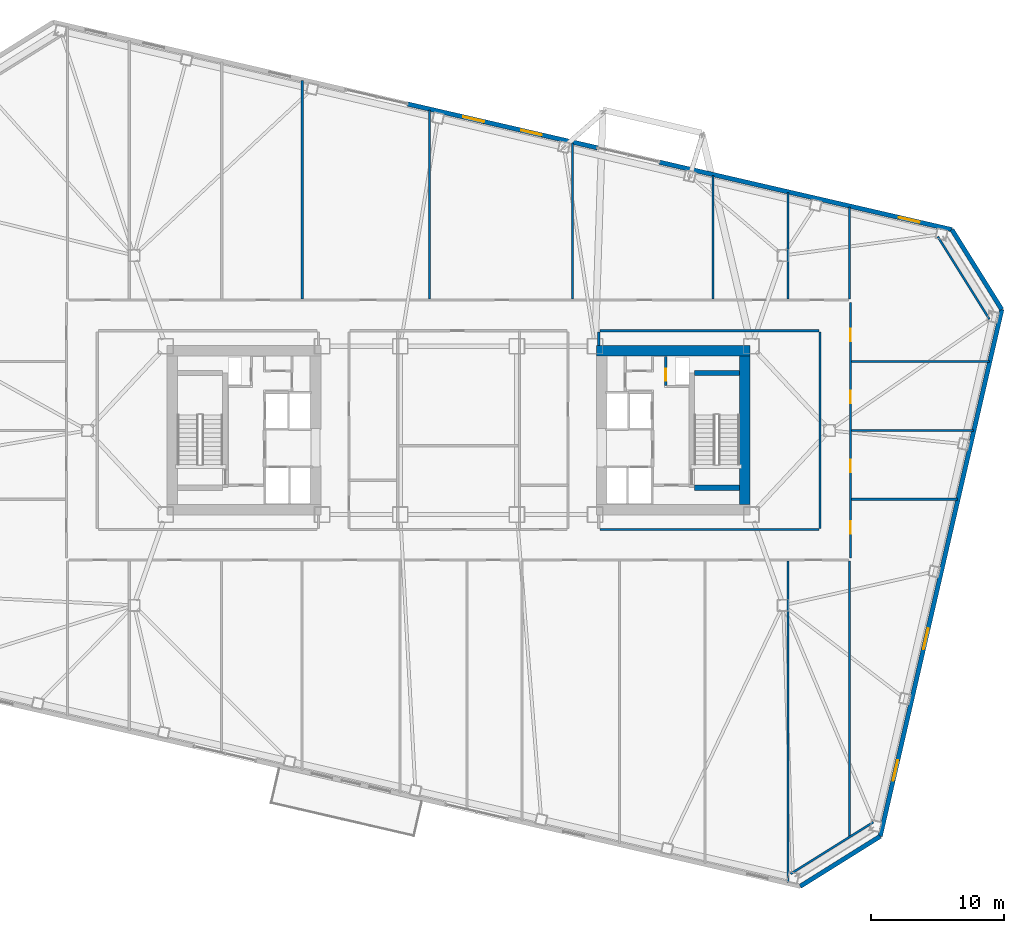
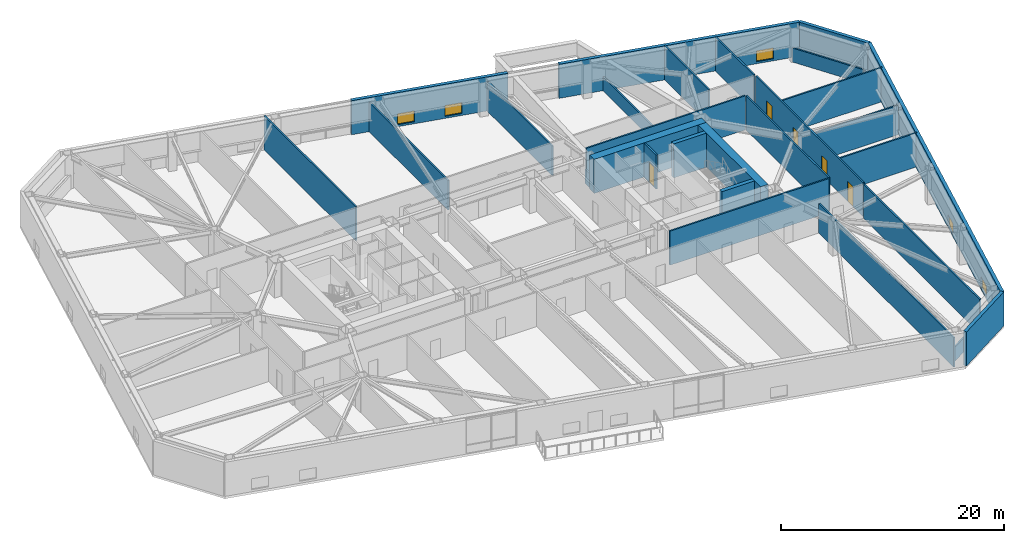
# One storey, part 13 of 21: 28 walls, 5 doors, 5 windows, 10 openings.
"""IFC4 building model written with IfcOpenShell, lengths in metres."""

from ifc_helpers import new_model, si_unit, direction, frame, frame_2d, origin, place, context, subcontext, project, spatial, rectangle, extrude, material, layer, layer_set, type_object, element, fill, save


model = new_model("IFC4")

# Units and contexts
model_context = context("Model", 3, precision=1e-05, world=origin(), true_north=direction((0.0, 1.0)))
body_context = subcontext(model_context, "Body", "Model", "MODEL_VIEW")
ifc_project = project(units=[si_unit("LENGTHUNIT", "METRE"), si_unit("AREAUNIT", "SQUARE_METRE"), si_unit("VOLUMEUNIT", "CUBIC_METRE"), si_unit("PLANEANGLEUNIT", "RADIAN"), si_unit("MASSUNIT", "GRAM", prefix="KILO")], contexts=[model_context])

# Site, building, storey
site_placement = place(None, origin())
site = spatial("IfcSite", under=ifc_project, at=site_placement, CompositionType="ELEMENT")
building_placement = place(site_placement, origin())
building = spatial("IfcBuilding", under=site, at=building_placement, Name="Tavrogorsk Clinical Tower", CompositionType="ELEMENT")
storey_placement = place(building_placement, frame((0.0, 0.0, 59.39990234375)))
storey = spatial("IfcBuildingStorey", under=building, at=storey_placement, Name="L12", CompositionType="ELEMENT", Elevation=59.39990234375)

# Walls
ifc_material_1 = material(Name="Lightweight concrete blockwork B15", Category="masonry")
ifc_layer_1 = layer(ifc_material_1, 0.159912109375)
ifc_layer_set_1 = layer_set([ifc_layer_1], Name="Lightweight concrete blockwork B15")
wall_type_1 = type_object("IfcWallType", Name="PartitionWall_160", PredefinedType="PARTITIONING", material=ifc_layer_set_1)
for number, where, z_axis, x_axis, name in (
    (1, (25.0595703125, -33.46826171875, 0.0), (0.0, 0.0, 1.0), (0.848043064089, 0.529927317139, 0.0), "L12 Corner Exoskeleton Brace Furring Wall 1"),
    (2, (40.059814453125, 8.389404296875, 0.0), (0.0, 0.0, 1.0), (-0.529927317139, 0.848043064089, 0.0), "L12 Corner Exoskeleton Brace Furring Wall 2"),
):
    element("IfcWall", number, at=place(storey_placement, frame(where, z_axis=z_axis, x_axis=x_axis)), inside=storey, type_object=wall_type_1, Name=name, PredefinedType="PARTITIONING", context=body_context, shape_type="SweptSolid", body=[
        extrude(rectangle(XDim=7.353759765625, YDim=0.159912109375, at=frame_2d((3.6767578125, 0.0))), origin(), (0.0, 0.0, 1.0), 1.53515625),
    ])

# Wall, openings, doors
wall_1_placement = place(storey_placement, frame((29.580078125, 9.6650390625, 0.0), z_axis=(0.0, 0.0, 1.0), x_axis=(0.0, -1.0, 0.0)))
wall_1 = element("IfcWall", 3, at=wall_1_placement, inside=storey, type_object=wall_type_1, Name="L12 Corridor Partition 03", PredefinedType="PARTITIONING", context=body_context, shape_type="SweptSolid", body=[
    extrude(rectangle(XDim=19.280029296875, YDim=0.159912109375, at=frame_2d((9.64013671875, 0.0))), origin(), (0.0, 0.0, 1.0), 3.739990234375),
])
opening_1_placement = place(wall_1_placement, frame((16.531005859375, 0.0, 0.0)))
opening_1 = element("IfcOpeningElement", 4, at=opening_1_placement, cuts=wall_1, Name="Opening ID-02", PredefinedType="OPENING", context=body_context, shape_type="SweptSolid", body=[
    extrude(rectangle(XDim=0.949951171875, YDim=2.199951171875, at=frame_2d((0.47509765625, 1.10009765625))), frame((0.0, 0.08984375, 0.0), z_axis=(0.0, -1.0, 0.0), x_axis=(1.0, 0.0, 0.0)), (0.0, 0.0, 1.0), 0.179931640625),
])
opening_2_placement = place(wall_1_placement, frame((11.875, 0.0, 0.0)))
opening_2 = element("IfcOpeningElement", 5, at=opening_2_placement, cuts=wall_1, Name="Opening ID-02", PredefinedType="OPENING", context=body_context, shape_type="SweptSolid", body=[
    extrude(rectangle(XDim=0.949951171875, YDim=2.199951171875, at=frame_2d((0.47509765625, 1.10009765625))), frame((0.0, 0.08984375, 0.0), z_axis=(0.0, -1.0, 0.0), x_axis=(1.0, 0.0, 0.0)), (0.0, 0.0, 1.0), 0.179931640625),
])
opening_3_placement = place(wall_1_placement, frame((6.675048828125, 0.0, 0.0)))
opening_3 = element("IfcOpeningElement", 6, at=opening_3_placement, cuts=wall_1, Name="Opening ID-02", PredefinedType="OPENING", context=body_context, shape_type="SweptSolid", body=[
    extrude(rectangle(XDim=0.949951171875, YDim=2.199951171875, at=frame_2d((0.47509765625, 1.10009765625))), frame((0.0, 0.08984375, 0.0), z_axis=(0.0, -1.0, 0.0), x_axis=(1.0, 0.0, 0.0)), (0.0, 0.0, 1.0), 0.179931640625),
])
opening_4_placement = place(wall_1_placement, frame((1.994140625, 0.0, 0.0)))
opening_4 = element("IfcOpeningElement", 7, at=opening_4_placement, cuts=wall_1, Name="Opening ID-02", PredefinedType="OPENING", context=body_context, shape_type="SweptSolid", body=[
    extrude(rectangle(XDim=0.949951171875, YDim=2.199951171875, at=frame_2d((0.47509765625, 1.10009765625))), frame((0.0, 0.08984375, 0.0), z_axis=(0.0, -1.0, 0.0), x_axis=(1.0, 0.0, 0.0)), (0.0, 0.0, 1.0), 0.179931640625),
])
ifc_material_2 = material(Name="Laminated timber leaf on aluminium frame", Category="wood")
door_type_1 = type_object("IfcDoorType", Name="InteriorDoor_ID02_950", OperationType="NOTDEFINED", PredefinedType="DOOR", material=ifc_material_2)
door_1_placement = place(opening_1_placement, origin())
door_1 = element("IfcDoor", 8, at=door_1_placement, inside=storey, type_object=door_type_1, Name="L12 E Senior Clinician Suite 1 Door", OperationType="SINGLE_SWING_LEFT", OverallHeight=2.199951171875, OverallWidth=0.949951171875, PredefinedType="DOOR", context=body_context, shape_type="SweptSolid", body=[
    extrude(rectangle(XDim=0.949951171875, YDim=2.199951171875, at=frame_2d((0.47509765625, 1.10009765625))), frame((0.0, 0.02490234375, 0.0), z_axis=(0.0, -1.0, 0.0), x_axis=(1.0, 0.0, 0.0)), (0.0, 0.0, 1.0), 0.050048828125),
])
fill(opening_1, door_1)
door_2_placement = place(opening_2_placement, origin())
door_2 = element("IfcDoor", 9, at=door_2_placement, inside=storey, type_object=door_type_1, Name="L12 E Multidisciplinary Seminar Suite 2 Door", OperationType="SINGLE_SWING_RIGHT", OverallHeight=2.199951171875, OverallWidth=0.949951171875, PredefinedType="DOOR", context=body_context, shape_type="SweptSolid", body=[
    extrude(rectangle(XDim=0.949951171875, YDim=2.199951171875, at=frame_2d((0.47509765625, 1.10009765625))), frame((0.0, 0.02490234375, 0.0), z_axis=(0.0, -1.0, 0.0), x_axis=(1.0, 0.0, 0.0)), (0.0, 0.0, 1.0), 0.050048828125),
])
fill(opening_2, door_2)
door_3_placement = place(opening_3_placement, origin())
door_3 = element("IfcDoor", 10, at=door_3_placement, inside=storey, type_object=door_type_1, Name="L12 E Specialist Consultation Room 3 Door", OperationType="SINGLE_SWING_LEFT", OverallHeight=2.199951171875, OverallWidth=0.949951171875, PredefinedType="DOOR", context=body_context, shape_type="SweptSolid", body=[
    extrude(rectangle(XDim=0.949951171875, YDim=2.199951171875, at=frame_2d((0.47509765625, 1.10009765625))), frame((0.0, 0.02490234375, 0.0), z_axis=(0.0, -1.0, 0.0), x_axis=(1.0, 0.0, 0.0)), (0.0, 0.0, 1.0), 0.050048828125),
])
fill(opening_3, door_3)
door_4_placement = place(opening_4_placement, origin())
door_4 = element("IfcDoor", 11, at=door_4_placement, inside=storey, type_object=door_type_1, Name="L12 E Clinical Fellows' Study 4 Door", OperationType="SINGLE_SWING_RIGHT", OverallHeight=2.199951171875, OverallWidth=0.949951171875, PredefinedType="DOOR", context=body_context, shape_type="SweptSolid", body=[
    extrude(rectangle(XDim=0.949951171875, YDim=2.199951171875, at=frame_2d((0.47509765625, 1.10009765625))), frame((0.0, 0.02490234375, 0.0), z_axis=(0.0, -1.0, 0.0), x_axis=(1.0, 0.0, 0.0)), (0.0, 0.0, 1.0), 0.050048828125),
])
fill(opening_4, door_4)

# Walls
wall_2_placement = place(storey_placement, frame((27.18505859375, 7.52001953125, 0.0), z_axis=(0.0, 0.0, 1.0), x_axis=(-1.0, 0.0, 0.0)))
element("IfcWall", 12, at=wall_2_placement, inside=storey, type_object=wall_type_1, Name="L12 Corridor Partition 05", PredefinedType="PARTITIONING", context=body_context, shape_type="SweptSolid", body=[
    extrude(rectangle(XDim=16.52001953125, YDim=0.159912109375, at=frame_2d((8.260009765625, 0.0))), origin(), (0.0, 0.0, 1.0), 3.739990234375),
])
wall_3_placement = place(storey_placement, frame((10.580078125, 7.43505859375, 0.0), z_axis=(0.0, 0.0, 1.0), x_axis=(0.0, -1.0, 0.0)))
element("IfcWall", 13, at=wall_3_placement, inside=storey, type_object=wall_type_1, Name="L12 Corridor Partition 06", PredefinedType="PARTITIONING", context=body_context, shape_type="SweptSolid", body=[
    extrude(rectangle(XDim=1.01513671875, YDim=0.159912109375, at=frame_2d((0.507568359375, 0.0))), origin(), (0.0, 0.0, 1.0), 1.53515625),
])
wall_4_placement = place(storey_placement, frame((10.6650390625, -7.469970703125, 0.0), z_axis=(0.0, 0.0, 1.0), x_axis=(1.0, 0.0, 0.0)))
element("IfcWall", 14, at=wall_4_placement, inside=storey, type_object=wall_type_1, Name="L12 Corridor Partition 08", PredefinedType="PARTITIONING", context=body_context, shape_type="SweptSolid", body=[
    extrude(rectangle(XDim=16.52001953125, YDim=0.159912109375, at=frame_2d((8.260009765625, 0.0))), origin(), (0.0, 0.0, 1.0), 3.739990234375),
])
wall_5_placement = place(storey_placement, frame((27.27001953125, -7.385009765625, 0.0), z_axis=(0.0, 0.0, 1.0), x_axis=(0.0, 1.0, 0.0)))
element("IfcWall", 15, at=wall_5_placement, inside=storey, type_object=wall_type_1, Name="L12 Corridor Partition 09", PredefinedType="PARTITIONING", context=body_context, shape_type="SweptSolid", body=[
    extrude(rectangle(XDim=14.820068359375, YDim=0.159912109375, at=frame_2d((7.41015625, 0.0))), origin(), (0.0, 0.0, 1.0), 3.739990234375),
])
wall_6_placement = place(storey_placement, frame((29.5, 9.9150390625, 0.0), z_axis=(0.0, 0.0, 1.0), x_axis=(0.0, 1.0, 0.0)))
element("IfcWall", 16, at=wall_6_placement, inside=storey, type_object=wall_type_1, Name="L12 NE Wing Closure Partition", PredefinedType="PARTITIONING", context=body_context, shape_type="SweptSolid", body=[
    extrude(rectangle(XDim=6.947265625, YDim=0.159912109375, at=frame_2d((3.4736328125, 0.0))), origin(), (0.0, 0.0, 1.0), 3.739990234375),
])
wall_7_placement = place(storey_placement, frame((29.5, -30.702880859375, 0.0), z_axis=(0.0, 0.0, 1.0), x_axis=(0.0, 1.0, 0.0)))
element("IfcWall", 17, at=wall_7_placement, inside=storey, type_object=wall_type_1, Name="L12 SE Wing Closure Partition", PredefinedType="PARTITIONING", context=body_context, shape_type="SweptSolid", body=[
    extrude(rectangle(XDim=20.837890625, YDim=0.159912109375, at=frame_2d((10.4189453125, 0.0))), origin(), (0.0, 0.0, 1.0), 3.739990234375),
])
wall_8_placement = place(storey_placement, frame((-11.800048828125, 9.9150390625, 0.0), z_axis=(0.0, 0.0, 1.0), x_axis=(0.0, 1.0, 0.0)))
element("IfcWall", 18, at=wall_8_placement, inside=storey, type_object=wall_type_1, Name="L12 North Room Partition 2", PredefinedType="PARTITIONING", context=body_context, shape_type="SweptSolid", body=[
    extrude(rectangle(XDim=16.482177734375, YDim=0.159912109375, at=frame_2d((8.2412109375, 0.0))), origin(), (0.0, 0.0, 1.0), 3.739990234375),
])
wall_9_placement = place(storey_placement, frame((-2.199951171875, 9.9150390625, 0.0), z_axis=(0.0, 0.0, 1.0), x_axis=(0.0, 1.0, 0.0)))
element("IfcWall", 19, at=wall_9_placement, inside=storey, type_object=wall_type_1, Name="L12 North Room Partition 3", PredefinedType="PARTITIONING", context=body_context, shape_type="SweptSolid", body=[
    extrude(rectangle(XDim=14.265869140625, YDim=0.159912109375, at=frame_2d((7.1328125, 0.0))), origin(), (0.0, 0.0, 1.0), 3.235107421875),
])
wall_10_placement = place(storey_placement, frame((8.60009765625, 9.9150390625, 0.0), z_axis=(0.0, 0.0, 1.0), x_axis=(0.0, 1.0, 0.0)))
element("IfcWall", 20, at=wall_10_placement, inside=storey, type_object=wall_type_1, Name="L12 North Room Partition 4", PredefinedType="PARTITIONING", context=body_context, shape_type="SweptSolid", body=[
    extrude(rectangle(XDim=11.7724609375, YDim=0.159912109375, at=frame_2d((5.88623046875, 0.0))), origin(), (0.0, 0.0, 1.0), 3.235107421875),
])
wall_11_placement = place(storey_placement, frame((19.199951171875, 9.9150390625, 0.0), z_axis=(0.0, 0.0, 1.0), x_axis=(0.0, 1.0, 0.0)))
element("IfcWall", 21, at=wall_11_placement, inside=storey, type_object=wall_type_1, Name="L12 North Room Partition 5", PredefinedType="PARTITIONING", context=body_context, shape_type="SweptSolid", body=[
    extrude(rectangle(XDim=9.3251953125, YDim=0.159912109375, at=frame_2d((4.66259765625, 0.0))), origin(), (0.0, 0.0, 1.0), 1.53515625),
])
wall_12_placement = place(storey_placement, frame((24.85009765625, 9.9150390625, 0.0), z_axis=(0.0, 0.0, 1.0), x_axis=(0.0, 1.0, 0.0)))
element("IfcWall", 22, at=wall_12_placement, inside=storey, type_object=wall_type_1, Name="L12 North Room Partition 6", PredefinedType="PARTITIONING", context=body_context, shape_type="SweptSolid", body=[
    extrude(rectangle(XDim=8.020751953125, YDim=0.159912109375, at=frame_2d((4.01025390625, 0.0))), origin(), (0.0, 0.0, 1.0), 3.739990234375),
])
wall_13_placement = place(storey_placement, frame((24.85009765625, -34.1181640625, 0.0), z_axis=(0.0, 0.0, 1.0), x_axis=(0.0, 1.0, 0.0)))
element("IfcWall", 23, at=wall_13_placement, inside=storey, type_object=wall_type_1, Name="L12 South Room Partition 6", PredefinedType="PARTITIONING", context=body_context, shape_type="SweptSolid", body=[
    extrude(rectangle(XDim=24.253173828125, YDim=0.159912109375, at=frame_2d((12.12646484375, 0.0))), origin(), (0.0, 0.0, 1.0), 3.235107421875),
])
wall_14_placement = place(storey_placement, frame((29.6650390625, -5.199951171875, 0.0), z_axis=(0.0, 0.0, 1.0), x_axis=(1.0, 0.0, 0.0)))
element("IfcWall", 24, at=wall_14_placement, inside=storey, type_object=wall_type_1, Name="L12 E Wing Divider 1", PredefinedType="PARTITIONING", context=body_context, shape_type="SweptSolid", body=[
    extrude(rectangle(XDim=8.007080078125, YDim=0.159912109375, at=frame_2d((4.00341796875, 0.0))), origin(), (0.0, 0.0, 1.0), 3.739990234375),
])
wall_15_placement = place(storey_placement, frame((29.6650390625, 0.0, 0.0), z_axis=(0.0, 0.0, 1.0), x_axis=(1.0, 0.0, 0.0)))
element("IfcWall", 25, at=wall_15_placement, inside=storey, type_object=wall_type_1, Name="L12 E Wing Divider 2", PredefinedType="PARTITIONING", context=body_context, shape_type="SweptSolid", body=[
    extrude(rectangle(XDim=9.207763671875, YDim=0.159912109375, at=frame_2d((4.60400390625, 0.0))), origin(), (0.0, 0.0, 1.0), 3.235107421875),
])
wall_16_placement = place(storey_placement, frame((29.6650390625, 5.199951171875, 0.0), z_axis=(0.0, 0.0, 1.0), x_axis=(1.0, 0.0, 0.0)))
element("IfcWall", 26, at=wall_16_placement, inside=storey, type_object=wall_type_1, Name="L12 E Wing Divider 3", PredefinedType="PARTITIONING", context=body_context, shape_type="SweptSolid", body=[
    extrude(rectangle(XDim=10.408203125, YDim=0.159912109375, at=frame_2d((5.2041015625, 0.0))), origin(), (0.0, 0.0, 1.0), 3.739990234375),
])

# Wall, opening, window
ifc_material_3 = material(Name="Precast concrete B45 with limestone cladding", Category="masonry")
ifc_layer_2 = layer(ifc_material_3, 0.340087890625)
ifc_layer_set_2 = layer_set([ifc_layer_2], Name="Precast concrete B45 with limestone cladding")
wall_type_2 = type_object("IfcWallType", Name="PrecastLimestoneWall_340", PredefinedType="STANDARD", material=ifc_layer_set_2)
wall_17_placement = place(storey_placement, frame((37.228515625, 15.14990234375, 0.0), z_axis=(0.0, 0.0, 1.0), x_axis=(-0.97436993772, 0.224951604723, 0.0)))
wall_17 = element("IfcWall", 27, at=wall_17_placement, inside=storey, type_object=wall_type_2, Name="L12 N Limestone Facade Wall 1", PredefinedType="STANDARD", context=body_context, shape_type="SweptSolid", body=[
    extrude(rectangle(XDim=22.6513671875, YDim=0.340087890625, at=frame_2d((11.32568359375, 0.0))), origin(), (0.0, 0.0, 1.0), 3.739990234375),
])
opening_5_placement = place(wall_17_placement, frame((2.51220703125, 0.0, 0.219970703125)))
opening_5 = element("IfcOpeningElement", 28, at=opening_5_placement, cuts=wall_17, Name="Opening WN-09", PredefinedType="OPENING", context=body_context, shape_type="SweptSolid", body=[
    extrude(rectangle(XDim=1.60009765625, YDim=1.199951171875, at=frame_2d((0.800048828125, 0.60009765625))), frame((0.0, 0.179931640625, 0.0), z_axis=(0.0, -1.0, 0.0), x_axis=(1.0, 0.0, 0.0)), (0.0, 0.0, 1.0), 0.360107421875),
])
ifc_material_4 = material(Name="Thermally broken aluminium frame and triple IGU", Category="aluminium")
window_type = type_object("IfcWindowType", Name="LowHeadTransWin_1600x1200", PartitioningType="DOUBLE_PANEL_VERTICAL", PredefinedType="WINDOW", material=ifc_material_4)
window_1_placement = place(opening_5_placement, origin())
window_1 = element("IfcWindow", 29, at=window_1_placement, inside=storey, type_object=window_type, Name="L12 N Chicago Window 10", OverallHeight=1.199951171875, OverallWidth=1.60009765625, PartitioningType="SINGLE_PANEL", PredefinedType="WINDOW", context=body_context, shape_type="SweptSolid", body=[
    extrude(rectangle(XDim=1.60009765625, YDim=1.199951171875, at=frame_2d((0.800048828125, 0.60009765625))), frame((0.0, 0.030029296875, 0.0), z_axis=(0.0, -1.0, 0.0), x_axis=(1.0, 0.0, 0.0)), (0.0, 0.0, 1.0), 0.06005859375),
])
fill(opening_5, window_1)

# Wall, openings, windows
wall_18_placement = place(storey_placement, frame((10.480712890625, 21.3251953125, 0.0), z_axis=(0.0, 0.0, 1.0), x_axis=(-0.974369353393, 0.2249541357, 0.0)))
wall_18 = element("IfcWall", 30, at=wall_18_placement, inside=storey, type_object=wall_type_2, Name="L12 N Limestone Facade Wall 2", PredefinedType="STANDARD", context=body_context, shape_type="SweptSolid", body=[
    extrude(rectangle(XDim=14.697021484375, YDim=0.340087890625, at=frame_2d((7.3486328125, 0.0))), origin(), (0.0, 0.0, 1.0), 3.739990234375),
])
opening_6_placement = place(wall_18_placement, frame((8.790771484375, 0.0, 0.219970703125)))
opening_6 = element("IfcOpeningElement", 31, at=opening_6_placement, cuts=wall_18, Name="Opening WN-09", PredefinedType="OPENING", context=body_context, shape_type="SweptSolid", body=[
    extrude(rectangle(XDim=1.60009765625, YDim=1.199951171875, at=frame_2d((0.800048828125, 0.60009765625))), frame((0.0, 0.179931640625, 0.0), z_axis=(0.0, -1.0, 0.0), x_axis=(1.0, 0.0, 0.0)), (0.0, 0.0, 1.0), 0.360107421875),
])
opening_7_placement = place(wall_18_placement, frame((4.306396484375, 0.0, 0.219970703125)))
opening_7 = element("IfcOpeningElement", 32, at=opening_7_placement, cuts=wall_18, Name="Opening WN-09", PredefinedType="OPENING", context=body_context, shape_type="SweptSolid", body=[
    extrude(rectangle(XDim=1.60009765625, YDim=1.199951171875, at=frame_2d((0.800048828125, 0.60009765625))), frame((0.0, 0.179931640625, 0.0), z_axis=(0.0, -1.0, 0.0), x_axis=(1.0, 0.0, 0.0)), (0.0, 0.0, 1.0), 0.360107421875),
])
window_2_placement = place(opening_6_placement, origin())
window_2 = element("IfcWindow", 33, at=window_2_placement, inside=storey, type_object=window_type, Name="L12 N Chicago Window 05", OverallHeight=1.199951171875, OverallWidth=1.60009765625, PartitioningType="SINGLE_PANEL", PredefinedType="WINDOW", context=body_context, shape_type="SweptSolid", body=[
    extrude(rectangle(XDim=1.60009765625, YDim=1.199951171875, at=frame_2d((0.800048828125, 0.60009765625))), frame((0.0, 0.030029296875, 0.0), z_axis=(0.0, -1.0, 0.0), x_axis=(1.0, 0.0, 0.0)), (0.0, 0.0, 1.0), 0.06005859375),
])
fill(opening_6, window_2)
window_3_placement = place(opening_7_placement, origin())
window_3 = element("IfcWindow", 34, at=window_3_placement, inside=storey, type_object=window_type, Name="L12 N Chicago Window 06", OverallHeight=1.199951171875, OverallWidth=1.60009765625, PartitioningType="SINGLE_PANEL", PredefinedType="WINDOW", context=body_context, shape_type="SweptSolid", body=[
    extrude(rectangle(XDim=1.60009765625, YDim=1.199951171875, at=frame_2d((0.800048828125, 0.60009765625))), frame((0.0, 0.030029296875, 0.0), z_axis=(0.0, -1.0, 0.0), x_axis=(1.0, 0.0, 0.0)), (0.0, 0.0, 1.0), 0.06005859375),
])
fill(opening_7, window_3)

wall_19_placement = place(storey_placement, frame((31.820068359375, -30.636962890625, 0.0), z_axis=(0.0, 0.0, 1.0), x_axis=(0.224949969076, 0.974370315338, 0.0)))
wall_19 = element("IfcWall", 35, at=wall_19_placement, inside=storey, type_object=wall_type_2, Name="L12 E Pleated Limestone Wing Wall", PredefinedType="STANDARD", context=body_context, shape_type="SweptSolid", body=[
    extrude(rectangle(XDim=40.800048828125, YDim=0.340087890625, at=frame_2d((20.39990234375, 0.0))), origin(), (0.0, 0.0, 1.0), 3.739990234375),
])
opening_8_placement = place(wall_19_placement, frame((4.300048828125, 0.0, 0.219970703125)))
opening_8 = element("IfcOpeningElement", 36, at=opening_8_placement, cuts=wall_19, Name="Opening WN-09", PredefinedType="OPENING", context=body_context, shape_type="SweptSolid", body=[
    extrude(rectangle(XDim=1.60009765625, YDim=1.199951171875, at=frame_2d((0.800048828125, 0.60009765625))), frame((0.0, 0.179931640625, 0.0), z_axis=(0.0, -1.0, 0.0), x_axis=(1.0, 0.0, 0.0)), (0.0, 0.0, 1.0), 0.360107421875),
])
opening_9_placement = place(wall_19_placement, frame((14.5, 0.0, 0.219970703125)))
opening_9 = element("IfcOpeningElement", 37, at=opening_9_placement, cuts=wall_19, Name="Opening WN-09", PredefinedType="OPENING", context=body_context, shape_type="SweptSolid", body=[
    extrude(rectangle(XDim=1.60009765625, YDim=1.199951171875, at=frame_2d((0.800048828125, 0.60009765625))), frame((0.0, 0.179931640625, 0.0), z_axis=(0.0, -1.0, 0.0), x_axis=(1.0, 0.0, 0.0)), (0.0, 0.0, 1.0), 0.360107421875),
])
window_4_placement = place(opening_8_placement, origin())
window_4 = element("IfcWindow", 38, at=window_4_placement, inside=storey, type_object=window_type, Name="L12 E Pleat Slot Window 1", OverallHeight=1.199951171875, OverallWidth=1.60009765625, PartitioningType="SINGLE_PANEL", PredefinedType="WINDOW", context=body_context, shape_type="SweptSolid", body=[
    extrude(rectangle(XDim=1.60009765625, YDim=1.199951171875, at=frame_2d((0.800048828125, 0.60009765625))), frame((0.0, 0.030029296875, 0.0), z_axis=(0.0, -1.0, 0.0), x_axis=(1.0, 0.0, 0.0)), (0.0, 0.0, 1.0), 0.06005859375),
])
fill(opening_8, window_4)
window_5_placement = place(opening_9_placement, origin())
window_5 = element("IfcWindow", 39, at=window_5_placement, inside=storey, type_object=window_type, Name="L12 E Pleat Slot Window 2", OverallHeight=1.199951171875, OverallWidth=1.60009765625, PartitioningType="SINGLE_PANEL", PredefinedType="WINDOW", context=body_context, shape_type="SweptSolid", body=[
    extrude(rectangle(XDim=1.60009765625, YDim=1.199951171875, at=frame_2d((0.800048828125, 0.60009765625))), frame((0.0, 0.030029296875, 0.0), z_axis=(0.0, -1.0, 0.0), x_axis=(1.0, 0.0, 0.0)), (0.0, 0.0, 1.0), 0.06005859375),
])
fill(opening_9, window_5)

# Walls
for number, where, z_axis, x_axis, name in (
    (40, (25.78759765625, -34.406494140625, 0.0), (0.0, 0.0, 1.0), (0.848046504656, 0.529921811158, 0.0), "L12 Chamfered Corner Wall 1"),
    (41, (40.998046875, 9.117431640625, 0.0), (0.0, 0.0, 1.0), (-0.529921811158, 0.848046504656, 0.0), "L12 Chamfered Corner Wall 2"),
):
    element("IfcWall", number, at=place(storey_placement, frame(where, z_axis=z_axis, x_axis=x_axis)), inside=storey, type_object=wall_type_2, Name=name, PredefinedType="STANDARD", context=body_context, shape_type="SweptSolid", body=[
        extrude(rectangle(XDim=7.11328125, YDim=0.340087890625, at=frame_2d((3.556640625, 0.0))), origin(), (0.0, 0.0, 1.0), 3.739990234375),
    ])

# Wall, opening, door
ifc_material_5 = material(Name="Lightweight concrete blockwork B25", Category="masonry")
ifc_layer_3 = layer(ifc_material_5, 0.159912109375)
ifc_layer_set_3 = layer_set([ifc_layer_3], Name="Lightweight concrete blockwork B25")
wall_type_3 = type_object("IfcWallType", Name="ShaftWall_160", PredefinedType="PARTITIONING", material=ifc_layer_set_3)
wall_20_placement = place(storey_placement, frame((15.639892578125, 3.405029296875, 0.0), z_axis=(0.0, 0.0, 1.0), x_axis=(0.0, 1.0, 0.0)))
wall_20 = element("IfcWall", 42, at=wall_20_placement, inside=storey, type_object=wall_type_3, Name="L12 Core East Riser West Wall", PredefinedType="PARTITIONING", context=body_context, shape_type="SweptSolid", body=[
    extrude(rectangle(XDim=2.155029296875, YDim=0.159912109375, at=frame_2d((1.07763671875, 0.0))), origin(), (0.0, 0.0, 1.0), 3.739990234375),
])
opening_10_placement = place(wall_20_placement, frame((0.35009765625, 0.0, 0.0)))
opening_10 = element("IfcOpeningElement", 43, at=opening_10_placement, cuts=wall_20, Name="Opening FD-02", PredefinedType="OPENING", context=body_context, shape_type="SweptSolid", body=[
    extrude(rectangle(XDim=0.89990234375, YDim=2.199951171875, at=frame_2d((0.449951171875, 1.10009765625))), frame((0.0, 0.08984375, 0.0), z_axis=(0.0, -1.0, 0.0), x_axis=(1.0, 0.0, 0.0)), (0.0, 0.0, 1.0), 0.179931640625),
])
ifc_material_6 = material(Name="Galvanised steel fire-rated door assembly", Category="steel")
door_type_2 = type_object("IfcDoorType", Name="FireDoor_FD02_900", OperationType="NOTDEFINED", PredefinedType="DOOR", material=ifc_material_6)
door_5_placement = place(opening_10_placement, origin())
door_5 = element("IfcDoor", 44, at=door_5_placement, inside=storey, type_object=door_type_2, Name="L12 Core East Electrical Riser Access Door", OperationType="SINGLE_SWING_RIGHT", OverallHeight=2.199951171875, OverallWidth=0.89990234375, PredefinedType="DOOR", context=body_context, shape_type="SweptSolid", body=[
    extrude(rectangle(XDim=0.89990234375, YDim=2.199951171875, at=frame_2d((0.449951171875, 1.10009765625))), frame((0.0, 0.02490234375, 0.0), z_axis=(0.0, -1.0, 0.0), x_axis=(1.0, 0.0, 0.0)), (0.0, 0.0, 1.0), 0.050048828125),
])
fill(opening_10, door_5)

# Walls
ifc_material_7 = material(Name="Concrete B80", Category="concrete")
ifc_layer_4 = layer(ifc_material_7, 0.39990234375)
ifc_layer_set_4 = layer_set([ifc_layer_4], Name="Concrete B80")
wall_type_4 = type_object("IfcWallType", Name="ShearWall_400", PredefinedType="SHEAR", material=ifc_layer_set_4)
for number, where, z_axis, x_axis, name in (
    (45, (17.800048828125, -4.324951171875, 0.0), (0.0, 0.0, 1.0), (1.0, 0.0, 0.0), "L12 Core East Stair Shaft South Shear Wall"),
    (46, (17.800048828125, 4.324951171875, 0.0), (0.0, 0.0, 1.0), (1.0, 0.0, 0.0), "L12 Core East Stair Shaft North Shear Wall"),
):
    element("IfcWall", number, at=place(storey_placement, frame(where, z_axis=z_axis, x_axis=x_axis)), inside=storey, type_object=wall_type_4, Name=name, PredefinedType="SHEAR", context=body_context, shape_type="SweptSolid", body=[
        extrude(rectangle(XDim=3.39990234375, YDim=0.39990234375, at=frame_2d((1.699951171875, 0.0))), origin(), (0.0, 0.0, 1.0), 3.739990234375),
    ])
ifc_material_8 = material(Name="Concrete B80", Category="concrete")
ifc_layer_5 = layer(ifc_material_8, 0.800048828125)
ifc_layer_set_5 = layer_set([ifc_layer_5], Name="Concrete B80")
wall_type_5 = type_object("IfcWallType", Name="ShearWall_800", PredefinedType="SHEAR", material=ifc_layer_set_5)
wall_21_placement = place(storey_placement, frame((10.39990234375, 6.0, 0.0), z_axis=(0.0, 0.0, 1.0), x_axis=(1.0, 0.0, 0.0)))
element("IfcWall", 47, at=wall_21_placement, inside=storey, type_object=wall_type_5, Name="L12 Core East North Shear Wall", PredefinedType="SHEAR", context=body_context, shape_type="SweptSolid", body=[
    extrude(rectangle(XDim=11.60009765625, YDim=0.800048828125, at=frame_2d((5.800048828125, 0.0))), origin(), (0.0, 0.0, 1.0), 3.739990234375),
])
wall_22_placement = place(storey_placement, frame((21.60009765625, -5.60009765625, 0.0), z_axis=(0.0, 0.0, 1.0), x_axis=(0.0, 1.0, 0.0)))
element("IfcWall", 48, at=wall_22_placement, inside=storey, type_object=wall_type_5, Name="L12 Core East End Shear Wall", PredefinedType="SHEAR", context=body_context, shape_type="SweptSolid", body=[
    extrude(rectangle(XDim=11.2001953125, YDim=0.800048828125, at=frame_2d((5.60009765625, 0.0))), origin(), (0.0, 0.0, 1.0), 3.739990234375),
])

save(model, "model.ifc")
